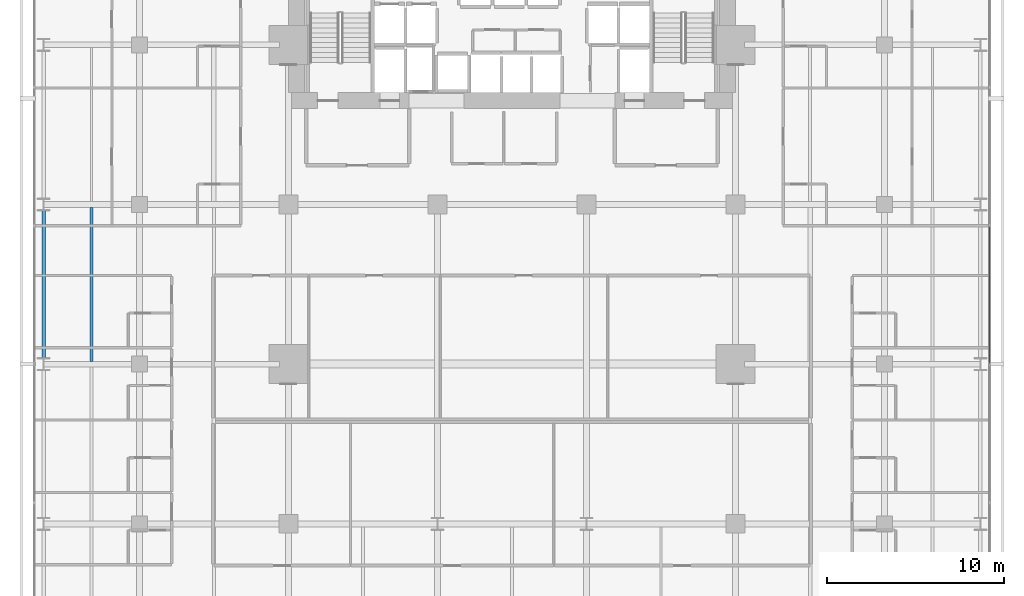
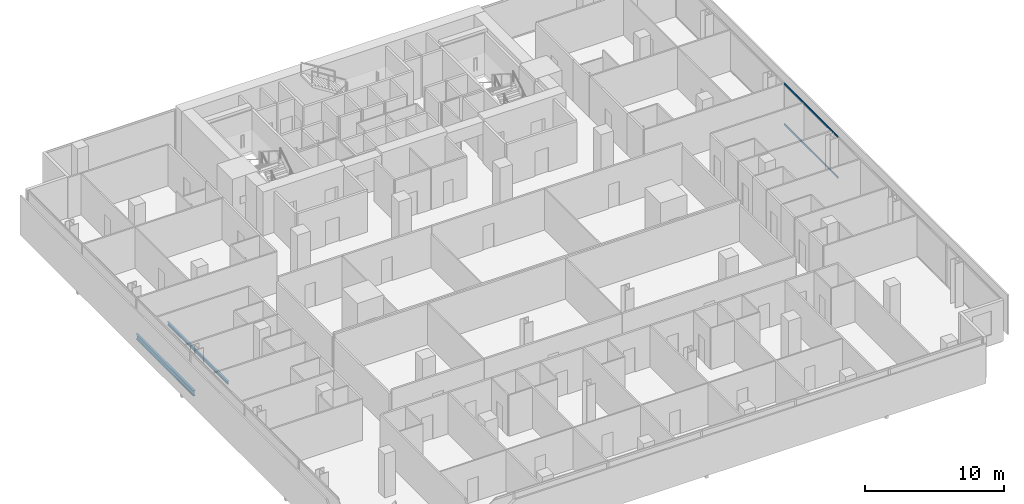
# One storey, part 20 of 41: 2 beams, 2 members, 1 element without a shape of its own.
"""IFC4 building model written with IfcOpenShell, lengths in metres."""

from ifc_helpers import new_model, si_unit, direction, frame, origin, origin_2d, place, context, subcontext, project, spatial, hollow_rectangle, i_section, extrude, material, layer, layer_set, material_profile, profile_set, type_object, element, aggregate, save


model = new_model("IFC4")

# Units and contexts
model_context = context("Model", 3, precision=1e-05, world=origin(), true_north=direction((0.0, 1.0)))
body_context = subcontext(model_context, "Body", "Model", "MODEL_VIEW")
ifc_project = project(units=[si_unit("LENGTHUNIT", "METRE"), si_unit("AREAUNIT", "SQUARE_METRE"), si_unit("VOLUMEUNIT", "CUBIC_METRE"), si_unit("PLANEANGLEUNIT", "RADIAN"), si_unit("MASSUNIT", "GRAM", prefix="KILO")], contexts=[model_context])

# Site, building, storey
site_placement = place(None, origin())
site = spatial("IfcSite", under=ifc_project, at=site_placement, CompositionType="ELEMENT")
building_placement = place(site_placement, origin())
building = spatial("IfcBuilding", under=site, at=building_placement, Name="Maruvema Waterfront Hotel and Observation Tower", CompositionType="ELEMENT")
storey_placement = place(building_placement, frame((0.0, 0.0, 61.60009765625)))
storey = spatial("IfcBuildingStorey", under=building, at=storey_placement, Name="L14", CompositionType="ELEMENT", Elevation=61.60009765625)

# Curtain wall, members
ifc_material_1 = material(Name="Anodised bronze aluminium and solar-control low-E IGU", Category="aluminium")
ifc_layer = layer(ifc_material_1, 0.159912109375, Name="Zone 1 Bronze Inner Thermal Curtain Wall System CW-02")
ifc_layer_set = layer_set([ifc_layer], Name="Anodised bronze aluminium and solar-control low-E IGU")
curtain_wall_type = type_object("IfcCurtainWallType", Name="Zone 1 Bronze Inner Thermal Curtain Wall System CW-02", PredefinedType="USERDEFINED", material=ifc_layer_set)
curtain_wall_placement = place(storey_placement, origin())
curtain_wall = element("IfcCurtainWall", 1, at=curtain_wall_placement, inside=storey, type_object=curtain_wall_type, Name="L14 Curtain Wall CW-L14-E", ObjectType="UNITISED CURTAIN WALL", PredefinedType="USERDEFINED")
ifc_material_2 = material(Name="Anodised architectural bronze aluminium", Category="aluminium")
ifc_material_profile_1 = material_profile(ifc_material_2, hollow_rectangle(XDim=0.070068359375, YDim=0.14990234375, WallThickness=0.00390625, at=origin_2d()), Name="ALU-T70x150")
ifc_profile_set_1 = profile_set([ifc_material_profile_1], Name="Anodised architectural bronze aluminium")
member_type = type_object("IfcMemberType", Name="Curtain Wall Horizontal Transom ALU-T70x150", PredefinedType="USERDEFINED", material=ifc_profile_set_1)
member_1_placement = place(storey_placement, frame((64.719970703125, 27.030029296875, 0.02978515625), z_axis=(0.0, 1.0, 0.0), x_axis=(-1.0, 0.0, 0.0)))
member_1 = element("IfcMember", 2, at=member_1_placement, type_object=member_type, Name="CW-02 transom 4.1", ObjectType="TRANSOM", PredefinedType="USERDEFINED", context=body_context, shape_type="SweptSolid", body=[
    extrude(hollow_rectangle(XDim=0.070068359375, YDim=0.14990234375, WallThickness=0.00390625, at=origin_2d()), origin(), (0.0, 0.0, 1.0), 7.739990234375),
])
member_2_placement = place(storey_placement, frame((64.719970703125, 27.030029296875, 3.579833984375), z_axis=(0.0, 1.0, 0.0), x_axis=(-1.0, 0.0, 0.0)))
member_2 = element("IfcMember", 3, at=member_2_placement, type_object=member_type, Name="CW-02 transom 4.2", ObjectType="TRANSOM", PredefinedType="USERDEFINED", context=body_context, shape_type="SweptSolid", body=[
    extrude(hollow_rectangle(XDim=0.070068359375, YDim=0.14990234375, WallThickness=0.00390625, at=origin_2d()), origin(), (0.0, 0.0, 1.0), 7.739990234375),
])
aggregate(curtain_wall, [member_1, member_2])

# Beams
ifc_material_3 = material(Name="Steel ASTM A572 Grade 50", Category="steel")
ifc_material_profile_2 = material_profile(ifc_material_3, i_section(OverallWidth=0.18994140625, OverallDepth=0.45703125, WebThickness=0.009033203125, FlangeThickness=0.014404296875, FilletRadius=0.014892578125, at=origin_2d()), Name="W460x74.0")
ifc_profile_set_2 = profile_set([ifc_material_profile_2], Name="Steel ASTM A572 Grade 50")
beam_type_1 = type_object("IfcBeamType", Name="Perimeter Spandrel Beam W460x74.0", PredefinedType="SPANDREL", material=ifc_profile_set_2)
beam_1_placement = place(storey_placement, frame((11.39990234375, 27.35009765625, -0.468505859375), z_axis=(0.0, 1.0, 0.0), x_axis=(-1.0, 0.0, 0.0)))
element("IfcBeam", 4, at=beam_1_placement, inside=storey, type_object=beam_type_1, Name="L14 Floor Girder NS-03", PredefinedType="SPANDREL", context=body_context, shape_type="SweptSolid", body=[
    extrude(i_section(OverallWidth=0.18994140625, OverallDepth=0.45703125, WebThickness=0.009033203125, FlangeThickness=0.014404296875, FilletRadius=0.014892578125, at=origin_2d()), origin(), (0.0, 0.0, 1.0), 8.2998046875),
])
ifc_material_4 = material(Name="Steel ASTM A572 Grade 50", Category="steel")
ifc_material_profile_3 = material_profile(ifc_material_4, i_section(OverallWidth=0.14599609375, OverallDepth=0.258056640625, WebThickness=0.006103515625, FlangeThickness=0.009033203125, FilletRadius=0.012939453125, at=origin_2d()), Name="W250x32.7")
ifc_profile_set_3 = profile_set([ifc_material_profile_3], Name="Steel ASTM A572 Grade 50")
beam_type_2 = type_object("IfcBeamType", Name="Secondary Floor Joist W250x32.7", PredefinedType="JOIST", material=ifc_profile_set_3)
beam_2_placement = place(storey_placement, frame((14.10009765625, 27.16357421875, -0.369140625), z_axis=(0.0, 1.0, 0.0), x_axis=(-1.0, 0.0, 0.0)))
element("IfcBeam", 5, at=beam_2_placement, inside=storey, type_object=beam_type_2, Name="L14 Secondary Floor Joist JS-03", PredefinedType="JOIST", context=body_context, shape_type="SweptSolid", body=[
    extrude(i_section(OverallWidth=0.14599609375, OverallDepth=0.258056640625, WebThickness=0.006103515625, FlangeThickness=0.009033203125, FilletRadius=0.012939453125, at=origin_2d()), origin(), (0.0, 0.0, 1.0), 8.6728515625),
])

save(model, "model.ifc")
